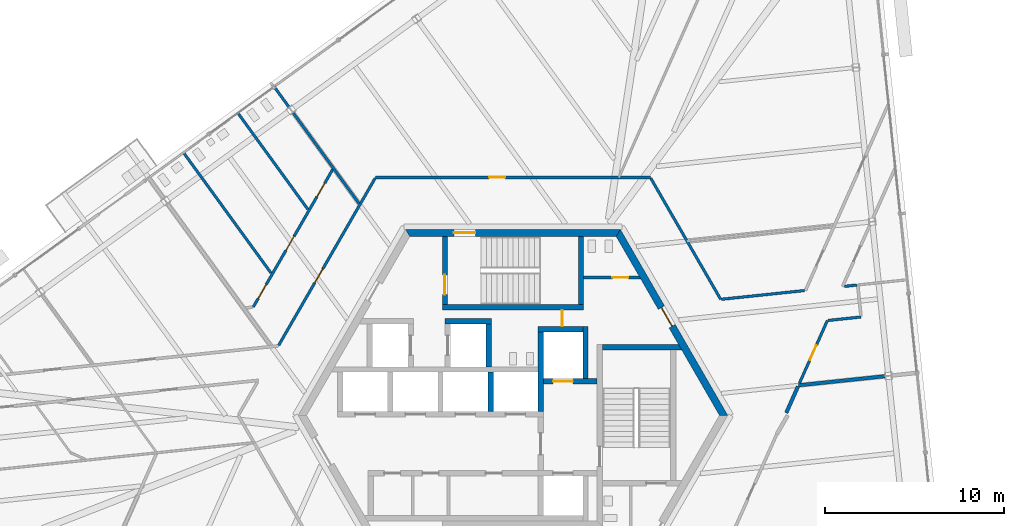
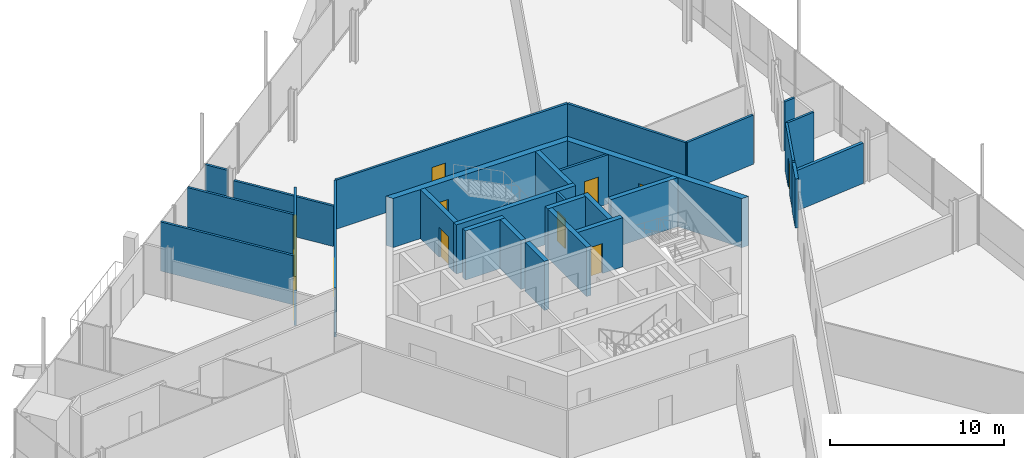
# One storey, part 13 of 21: 29 walls, 12 doors, 12 openings.
"""IFC4 building model written with IfcOpenShell, lengths in metres."""

from ifc_helpers import new_model, si_unit, direction, frame, frame_2d, origin, place, context, subcontext, project, spatial, polyline, rectangle, outline, extrude, source, transform, mapped, material, layer, layer_set, type_object, element, fill, save


model = new_model("IFC4")

# Units and contexts
model_context = context("Model", 3, precision=1e-05, world=origin(), true_north=direction((0.0, 1.0)))
body_context = subcontext(model_context, "Body", "Model", "MODEL_VIEW")
ifc_project = project(units=[si_unit("LENGTHUNIT", "METRE"), si_unit("AREAUNIT", "SQUARE_METRE"), si_unit("VOLUMEUNIT", "CUBIC_METRE"), si_unit("PLANEANGLEUNIT", "RADIAN"), si_unit("MASSUNIT", "GRAM", prefix="KILO")], contexts=[model_context])

# Site, building, storey
site_placement = place(None, origin())
site = spatial("IfcSite", under=ifc_project, at=site_placement, CompositionType="ELEMENT")
building_placement = place(site_placement, origin())
building = spatial("IfcBuilding", under=site, at=building_placement, Name="Triune Harvest Tower", CompositionType="ELEMENT")
storey_placement = place(building_placement, frame((0.0, 0.0, 87.300048828125)))
storey = spatial("IfcBuildingStorey", under=building, at=storey_placement, Name="L21", CompositionType="ELEMENT", Elevation=87.300048828125)

# Walls
ifc_material_1 = material(Name="Gypsum board on steel studs", Category="steel")
ifc_layer_1 = layer(ifc_material_1, 0.14990234375)
ifc_layer_set_1 = layer_set([ifc_layer_1], Name="Gypsum board on steel studs")
wall_type_1 = type_object("IfcWallType", Name="Fire Partition 150 mm", PredefinedType="PARTITIONING", material=ifc_layer_set_1)
wall_1_placement = place(storey_placement, frame((7.69921875, 13.2490234375, 0.0), z_axis=(0.0, 0.0, 1.0), x_axis=(0.500009052715, -0.866020177134, 0.0)))
element("IfcWall", 1, at=wall_1_placement, inside=storey, type_object=wall_type_1, Name="Partition L21 004", PredefinedType="PARTITIONING", context=body_context, shape_type="SweptSolid", body=[
    extrude(rectangle(XDim=7.816162109375, YDim=0.14990234375, at=frame_2d((3.908203125, 0.0))), origin(), (0.0, 0.0, 1.0), 3.43994140625),
])
wall_2_placement = place(storey_placement, frame((-18.40771484375, 14.68212890625, 0.0), z_axis=(0.0, 0.0, 1.0), x_axis=(0.587777217716, -0.809022831775, 0.0)))
element("IfcWall", 2, at=wall_2_placement, inside=storey, type_object=wall_type_1, Name="Partition L21 012", PredefinedType="PARTITIONING", context=body_context, shape_type="SweptSolid", body=[
    extrude(rectangle(XDim=8.318115234375, YDim=0.14990234375, at=frame_2d((4.1591796875, 0.0))), origin(), (0.0, 0.0, 1.0), 3.43994140625),
])
wall_3_placement = place(storey_placement, frame((-15.367919921875, 16.890625, 0.0), z_axis=(0.0, 0.0, 1.0), x_axis=(0.587780611238, -0.809020366278, 0.0)))
element("IfcWall", 3, at=wall_3_placement, inside=storey, type_object=wall_type_1, Name="Partition L21 013", PredefinedType="PARTITIONING", context=body_context, shape_type="SweptSolid", body=[
    extrude(rectangle(XDim=6.645263671875, YDim=0.14990234375, at=frame_2d((3.32275390625, 0.0))), origin(), (0.0, 0.0, 1.0), 3.43994140625),
])
wall_4_placement = place(storey_placement, frame((-12.2880859375, 16.9130859375, 0.0), z_axis=(0.0, 0.0, 1.0), x_axis=(0.587798616863, -0.809007284277, 0.0)))
element("IfcWall", 4, at=wall_4_placement, inside=storey, type_object=wall_type_1, Name="Partition L21 015", PredefinedType="PARTITIONING", context=body_context, shape_type="SweptSolid", body=[
    extrude(rectangle(XDim=6.265625, YDim=0.14990234375, at=frame_2d((3.1328125, 0.0))), origin(), (0.0, 0.0, 1.0), 2.82763671875),
])
wall_5_placement = place(storey_placement, frame((17.615966796875, 5.301513671875, 0.0), z_axis=(0.0, 0.0, 1.0), x_axis=(0.994514155741, 0.104602074695, 0.0)))
element("IfcWall", 5, at=wall_5_placement, inside=storey, type_object=wall_type_1, Name="Partition L21 028", PredefinedType="PARTITIONING", context=body_context, shape_type="SweptSolid", body=[
    extrude(rectangle(XDim=1.84375, YDim=0.14990234375, at=frame_2d((0.921875, 0.0))), origin(), (0.0, 0.0, 1.0), 3.43994140625),
])
wall_6_placement = place(storey_placement, frame((11.6572265625, 6.48486328125, 0.0), z_axis=(0.0, 0.0, 1.0), x_axis=(0.994519500687, 0.104551244624, 0.0)))
element("IfcWall", 6, at=wall_6_placement, inside=storey, type_object=wall_type_1, Name="Partition L21 032", PredefinedType="PARTITIONING", context=body_context, shape_type="SweptSolid", body=[
    extrude(rectangle(XDim=4.663330078125, YDim=0.14990234375, at=frame_2d((2.33154296875, 0.0))), origin(), (0.0, 0.0, 1.0), 3.43994140625),
])
wall_7_placement = place(storey_placement, frame((18.52099609375, 7.206298828125, 0.0), z_axis=(0.0, 0.0, 1.0), x_axis=(0.994538139954, 0.104373790659, 0.0)))
element("IfcWall", 7, at=wall_7_placement, inside=storey, type_object=wall_type_1, Name="Partition L21 033", PredefinedType="PARTITIONING", context=body_context, shape_type="SweptSolid", body=[
    extrude(rectangle(XDim=0.69482421875, YDim=0.14990234375, at=frame_2d((0.347412109375, 0.0))), origin(), (0.0, 0.0, 1.0), 3.43994140625),
])

# Wall, opening, door
wall_8_placement = place(storey_placement, frame((-13.087158203125, 3.916748046875, 0.0), z_axis=(0.0, 0.0, 1.0), x_axis=(0.499996363024, 0.866027503583, 0.0)))
wall_8 = element("IfcWall", 8, at=wall_8_placement, inside=storey, type_object=wall_type_1, Name="Partition L21 040", PredefinedType="PARTITIONING", context=body_context, shape_type="SweptSolid", body=[
    extrude(rectangle(XDim=10.77587890625, YDim=0.14990234375, at=frame_2d((5.387939453125, 0.0))), origin(), (0.0, 0.0, 1.0), 3.43994140625),
])
opening_1_placement = place(wall_8_placement, frame((4.01953125, 0.0, 0.0)))
opening_1 = element("IfcOpeningElement", 9, at=opening_1_placement, cuts=wall_8, Name="Opening L21-008", PredefinedType="OPENING", context=body_context, shape_type="SweptSolid", body=[
    extrude(rectangle(XDim=0.89990234375, YDim=2.10009765625, at=frame_2d((0.449951171875, 1.050048828125))), frame((0.0, 0.0849609375, 0.0), z_axis=(0.0, -1.0, 0.0), x_axis=(1.0, 0.0, 0.0)), (0.0, 0.0, 1.0), 0.169921875),
])
ifc_material_2 = material(Name="Timber and steel door set", Category="steel")
door_type_1 = type_object("IfcDoorType", Name="Single leaf door FD30 left hand 900 x 2100", OperationType="SINGLE_SWING_LEFT", PredefinedType="DOOR", material=ifc_material_2)
door_1_placement = place(opening_1_placement, origin())
door_1 = element("IfcDoor", 10, at=door_1_placement, inside=storey, type_object=door_type_1, Name="Door L21-008 WC lobby 21.08", OperationType="SINGLE_SWING_LEFT", OverallHeight=2.10009765625, OverallWidth=0.89990234375, PredefinedType="DOOR", context=body_context, shape_type="SweptSolid", body=[
    extrude(rectangle(XDim=0.89990234375, YDim=2.10009765625, at=frame_2d((0.449951171875, 1.050048828125))), frame((0.0, 0.02490234375, 0.0), z_axis=(0.0, -1.0, 0.0), x_axis=(1.0, 0.0, 0.0)), (0.0, 0.0, 1.0), 0.050048828125),
])
fill(opening_1, door_1)

# Wall, openings, doors
wall_9_placement = place(storey_placement, frame((-14.512939453125, 6.047607421875, 0.0), z_axis=(0.0, 0.0, 1.0), x_axis=(0.500015672097, 0.866016355306, 0.0)))
wall_9 = element("IfcWall", 11, at=wall_9_placement, inside=storey, type_object=wall_type_1, Name="Partition L21 041", PredefinedType="PARTITIONING", context=body_context, shape_type="SweptSolid", body=[
    extrude(rectangle(XDim=8.961181640625, YDim=0.14990234375, at=frame_2d((4.48046875, 0.0))), origin(), (0.0, 0.0, 1.0), 3.43994140625),
])
opening_2_placement = place(wall_9_placement, frame((7.111328125, 0.0, 0.0)))
opening_2 = element("IfcOpeningElement", 12, at=opening_2_placement, cuts=wall_9, Name="Opening L21-009", PredefinedType="OPENING", context=body_context, shape_type="SweptSolid", body=[
    extrude(rectangle(XDim=0.89990234375, YDim=2.10009765625, at=frame_2d((0.449951171875, 1.050048828125))), frame((0.0, 0.0849609375, 0.0), z_axis=(0.0, -1.0, 0.0), x_axis=(1.0, 0.0, 0.0)), (0.0, 0.0, 1.0), 0.169921875),
])
opening_3_placement = place(wall_9_placement, frame((3.66943359375, 0.0, 0.0)))
opening_3 = element("IfcOpeningElement", 13, at=opening_3_placement, cuts=wall_9, Name="Opening L21-010", PredefinedType="OPENING", context=body_context, shape_type="SweptSolid", body=[
    extrude(rectangle(XDim=0.89990234375, YDim=2.10009765625, at=frame_2d((0.449951171875, 1.050048828125))), frame((0.0, 0.0849609375, 0.0), z_axis=(0.0, -1.0, 0.0), x_axis=(1.0, 0.0, 0.0)), (0.0, 0.0, 1.0), 0.169921875),
])
opening_4_placement = place(wall_9_placement, frame((0.556396484375, 0.0, 0.0)))
opening_4 = element("IfcOpeningElement", 14, at=opening_4_placement, cuts=wall_9, Name="Opening L21-011", PredefinedType="OPENING", context=body_context, shape_type="SweptSolid", body=[
    extrude(rectangle(XDim=0.89990234375, YDim=2.10009765625, at=frame_2d((0.449951171875, 1.050048828125))), frame((0.0, 0.0849609375, 0.0), z_axis=(0.0, -1.0, 0.0), x_axis=(1.0, 0.0, 0.0)), (0.0, 0.0, 1.0), 0.169921875),
])
door_2_placement = place(opening_3_placement, origin())
door_2 = element("IfcDoor", 15, at=door_2_placement, inside=storey, type_object=door_type_1, Name="Door L21-010 Men's WC 21.10", OperationType="SINGLE_SWING_LEFT", OverallHeight=2.10009765625, OverallWidth=0.89990234375, PredefinedType="DOOR", context=body_context, shape_type="SweptSolid", body=[
    extrude(rectangle(XDim=0.89990234375, YDim=2.10009765625, at=frame_2d((0.449951171875, 1.050048828125))), frame((0.0, 0.02490234375, 0.0), z_axis=(0.0, -1.0, 0.0), x_axis=(1.0, 0.0, 0.0)), (0.0, 0.0, 1.0), 0.050048828125),
])
fill(opening_3, door_2)
door_3_placement = place(opening_4_placement, origin())
door_3 = element("IfcDoor", 16, at=door_3_placement, inside=storey, type_object=door_type_1, Name="Door L21-011 Accessible WC 21.11", OperationType="SINGLE_SWING_LEFT", OverallHeight=2.10009765625, OverallWidth=0.89990234375, PredefinedType="DOOR", context=body_context, shape_type="SweptSolid", body=[
    extrude(rectangle(XDim=0.89990234375, YDim=2.10009765625, at=frame_2d((0.449951171875, 1.050048828125))), frame((0.0, 0.02490234375, 0.0), z_axis=(0.0, -1.0, 0.0), x_axis=(1.0, 0.0, 0.0)), (0.0, 0.0, 1.0), 0.050048828125),
])
fill(opening_4, door_3)
ifc_material_3 = material(Name="Timber and steel door set", Category="steel")
door_type_2 = type_object("IfcDoorType", Name="Single leaf door FD30 right hand 900 x 2100", OperationType="SINGLE_SWING_RIGHT", PredefinedType="DOOR", material=ifc_material_3)
door_4_placement = place(opening_2_placement, origin())
door_4 = element("IfcDoor", 17, at=door_4_placement, inside=storey, type_object=door_type_2, Name="Door L21-009 Women's WC 21.09", OperationType="SINGLE_SWING_RIGHT", OverallHeight=2.10009765625, OverallWidth=0.89990234375, PredefinedType="DOOR", context=body_context, shape_type="SweptSolid", body=[
    extrude(rectangle(XDim=0.89990234375, YDim=2.10009765625, at=frame_2d((0.449951171875, 1.050048828125))), frame((0.0, 0.02490234375, 0.0), z_axis=(0.0, -1.0, 0.0), x_axis=(1.0, 0.0, 0.0)), (0.0, 0.0, 1.0), 0.050048828125),
])
fill(opening_2, door_4)

# Wall, opening, door
wall_10_placement = place(storey_placement, frame((16.009033203125, 1.798583984375, 0.0), z_axis=(0.0, 0.0, 1.0), x_axis=(0.406694528677, 0.913564207018, 0.0)))
wall_10 = element("IfcWall", 18, at=wall_10_placement, inside=storey, type_object=wall_type_1, Name="Partition L21 045", PredefinedType="PARTITIONING", context=body_context, shape_type="SweptSolid", body=[
    extrude(rectangle(XDim=3.828857421875, YDim=0.14990234375, at=frame_2d((1.91455078125, 0.0))), origin(), (0.0, 0.0, 1.0), 3.43994140625),
])
opening_5_placement = place(wall_10_placement, frame((1.416748046875, 0.0, 0.0)))
opening_5 = element("IfcOpeningElement", 19, at=opening_5_placement, cuts=wall_10, Name="Opening L21-004", PredefinedType="OPENING", context=body_context, shape_type="SweptSolid", body=[
    extrude(rectangle(XDim=0.89990234375, YDim=2.10009765625, at=frame_2d((0.449951171875, 1.050048828125))), frame((0.0, 0.0849609375, 0.0), z_axis=(0.0, -1.0, 0.0), x_axis=(1.0, 0.0, 0.0)), (0.0, 0.0, 1.0), 0.169921875),
])
door_5_placement = place(opening_5_placement, origin())
door_5 = element("IfcDoor", 20, at=door_5_placement, inside=storey, type_object=door_type_1, Name="Door L21-004 Office 21.04", OperationType="SINGLE_SWING_LEFT", OverallHeight=2.10009765625, OverallWidth=0.89990234375, PredefinedType="DOOR", context=body_context, shape_type="SweptSolid", body=[
    extrude(rectangle(XDim=0.89990234375, YDim=2.10009765625, at=frame_2d((0.449951171875, 1.050048828125))), frame((0.0, 0.02490234375, 0.0), z_axis=(0.0, -1.0, 0.0), x_axis=(1.0, 0.0, 0.0)), (0.0, 0.0, 1.0), 0.050048828125),
])
fill(opening_5, door_5)

# Walls
ifc_material_4 = material(Name="Gypsum board on steel studs", Category="steel")
ifc_layer_2 = layer(ifc_material_4, 0.199951171875)
ifc_layer_set_2 = layer_set([ifc_layer_2], Name="Gypsum board on steel studs")
wall_type_2 = type_object("IfcWallType", Name="Fire Wall 200 mm", PredefinedType="PARTITIONING", material=ifc_layer_set_2)
wall_11_placement = place(storey_placement, frame((15.954833984375, 1.677001953125, 0.0), z_axis=(0.0, 0.0, 1.0), x_axis=(0.994522495007, 0.104522757931, 0.0)))
element("IfcWall", 21, at=wall_11_placement, inside=storey, type_object=wall_type_2, Name="Partition L21 025", PredefinedType="PARTITIONING", context=body_context, shape_type="SweptSolid", body=[
    extrude(rectangle(XDim=4.863037109375, YDim=0.199951171875, at=frame_2d((2.431640625, 0.0))), origin(), (0.0, 0.0, 1.0), 2.82763671875),
])
wall_12_placement = place(storey_placement, frame((15.269287109375, 0.136962890625, 0.0), z_axis=(0.0, 0.0, 1.0), x_axis=(0.406586185741, 0.913612430719, 0.0)))
element("IfcWall", 22, at=wall_12_placement, inside=storey, type_object=wall_type_2, Name="Partition L21 044", PredefinedType="PARTITIONING", context=body_context, shape_type="SweptSolid", body=[
    extrude(rectangle(XDim=1.618896484375, YDim=0.199951171875, at=frame_2d((0.8095703125, 0.0))), origin(), (0.0, 0.0, 1.0), 3.43994140625),
])

# Wall, opening, door
ifc_material_5 = material(Name="Concrete 70 MPa", Category="concrete")
ifc_layer_3 = layer(ifc_material_5, 0.39990234375)
ifc_layer_set_3 = layer_set([ifc_layer_3], Name="Concrete 70 MPa")
wall_type_3 = type_object("IfcWallType", Name="Core wall 400", PredefinedType="SHEAR", material=ifc_layer_set_3)
shared_shape_1 = source(origin(), body_context, "Body", "SweptSolid", [
    extrude(outline(polyline([(-0.115478515625, -0.199951171875), (11.884521484375, -0.199951171875), (11.653564453125, 0.199951171875), (0.115478515625, 0.199951171875), (-0.115478515625, -0.199951171875)])), origin(), (0.0, 0.0, 1.0), 3.43994140625),
])
wall_13_placement = place(storey_placement, frame((11.76904296875, 0.0, 0.0), z_axis=(0.0, 0.0, 1.0), x_axis=(-0.499996592174, 0.866027371285, 0.0)))
wall_13 = element("IfcWall", 23, at=wall_13_placement, inside=storey, type_object=wall_type_3, Name="Hexagon 0 wall", PredefinedType="SHEAR", context=body_context, shape_type="MappedRepresentation", body=[
    mapped(shared_shape_1, transform((0.0, 0.0, 0.0), scale=1.0)),
])
opening_6_placement = place(wall_13_placement, frame((5.75048828125, 0.0, 0.0)))
opening_6 = element("IfcOpeningElement", 24, at=opening_6_placement, cuts=wall_13, Name="Opening CD-WCP", PredefinedType="OPENING", context=body_context, shape_type="SweptSolid", body=[
    extrude(rectangle(XDim=1.199951171875, YDim=2.10009765625, at=frame_2d((0.60009765625, 1.050048828125))), frame((0.0, 0.2099609375, 0.0), z_axis=(0.0, -1.0, 0.0), x_axis=(1.0, 0.0, 0.0)), (0.0, 0.0, 1.0), 0.419921875),
])
ifc_material_6 = material(Name="Steel S235", Category="steel")
door_type_3 = type_object("IfcDoorType", Name="Lobby door 1200 FD120", OperationType="SINGLE_SWING_LEFT", PredefinedType="DOOR", material=ifc_material_6)
door_6_placement = place(opening_6_placement, frame((1.199951171875, 0.0, 0.0), z_axis=(0.0, 0.0, 1.0), x_axis=(-1.0, 0.0, 0.0)))
door_6 = element("IfcDoor", 25, at=door_6_placement, inside=storey, type_object=door_type_3, Name="Door CD-WCP", OperationType="SINGLE_SWING_RIGHT", OverallHeight=2.10009765625, OverallWidth=1.199951171875, PredefinedType="DOOR", context=body_context, shape_type="SweptSolid", body=[
    extrude(rectangle(XDim=1.199951171875, YDim=2.10009765625, at=frame_2d((0.60009765625, 1.050048828125))), frame((0.0, 0.02490234375, 0.0), z_axis=(0.0, -1.0, 0.0), x_axis=(1.0, 0.0, 0.0)), (0.0, 0.0, 1.0), 0.050048828125),
])
fill(opening_6, door_6)

wall_14_placement = place(storey_placement, frame((5.884521484375, 10.1923828125, 0.0), z_axis=(0.0, 0.0, 1.0), x_axis=(-1.0, 0.0, 0.0)))
wall_14 = element("IfcWall", 26, at=wall_14_placement, inside=storey, type_object=wall_type_3, Name="Hexagon 1 wall", PredefinedType="SHEAR", context=body_context, shape_type="MappedRepresentation", body=[
    mapped(shared_shape_1, transform((0.0, 0.0, 0.0), scale=1.0)),
])
opening_7_placement = place(wall_14_placement, frame((7.984619140625, 0.0, 0.0)))
opening_7 = element("IfcOpeningElement", 27, at=opening_7_placement, cuts=wall_14, Name="Opening CD-S1P", PredefinedType="OPENING", context=body_context, shape_type="SweptSolid", body=[
    extrude(rectangle(XDim=1.199951171875, YDim=2.10009765625, at=frame_2d((0.60009765625, 1.050048828125))), frame((0.0, 0.2099609375, 0.0), z_axis=(0.0, -1.0, 0.0), x_axis=(1.0, 0.0, 0.0)), (0.0, 0.0, 1.0), 0.419921875),
])
ifc_material_7 = material(Name="Steel S235", Category="steel")
door_type_4 = type_object("IfcDoorType", Name="Stair door 1200 FD120", OperationType="SINGLE_SWING_LEFT", PredefinedType="DOOR", material=ifc_material_7)
door_7_placement = place(opening_7_placement, frame((1.199951171875, 0.0, 0.0), z_axis=(0.0, 0.0, 1.0), x_axis=(-1.0, 0.0, 0.0)))
door_7 = element("IfcDoor", 28, at=door_7_placement, inside=storey, type_object=door_type_4, Name="Door CD-S1P", OperationType="SINGLE_SWING_RIGHT", OverallHeight=2.10009765625, OverallWidth=1.199951171875, PredefinedType="DOOR", context=body_context, shape_type="SweptSolid", body=[
    extrude(rectangle(XDim=1.199951171875, YDim=2.10009765625, at=frame_2d((0.60009765625, 1.050048828125))), frame((0.0, 0.02490234375, 0.0), z_axis=(0.0, -1.0, 0.0), x_axis=(1.0, 0.0, 0.0)), (0.0, 0.0, 1.0), 0.050048828125),
])
fill(opening_7, door_7)

# Walls
ifc_material_8 = material(Name="Concrete 70 MPa", Category="concrete")
ifc_layer_4 = layer(ifc_material_8, 0.300048828125)
ifc_layer_set_4 = layer_set([ifc_layer_4], Name="Concrete 70 MPa")
wall_type_4 = type_object("IfcWallType", Name="Core wall 300", PredefinedType="SHEAR", material=ifc_layer_set_4)
shared_shape_2 = source(origin(), body_context, "Body", "SweptSolid", [
    extrude(rectangle(XDim=2.5, YDim=0.300048828125, at=frame_2d((1.25, 0.0))), origin(), (0.0, 0.0, 1.0), 3.43994140625),
])
wall_15_placement = place(storey_placement, frame((1.39990234375, 4.81005859375, 0.0), z_axis=(0.0, 0.0, 1.0), x_axis=(1.0, 0.0, 0.0)))
element("IfcWall", 29, at=wall_15_placement, inside=storey, type_object=wall_type_4, Name="Ff1 back wall", PredefinedType="SHEAR", context=body_context, shape_type="MappedRepresentation", body=[
    mapped(shared_shape_2, transform((0.0, 0.0, 0.0), scale=1.0)),
])
shared_shape_3 = source(origin(), body_context, "Body", "SweptSolid", [
    extrude(rectangle(XDim=4.449951171875, YDim=0.300048828125, at=frame_2d((2.22509765625, 0.0))), origin(), (0.0, 0.0, 1.0), 3.43994140625),
])
wall_16_placement = place(storey_placement, frame((1.550048828125, 0.2099609375, 0.0), z_axis=(0.0, 0.0, 1.0), x_axis=(0.0, 1.0, 0.0)))
element("IfcWall", 30, at=wall_16_placement, inside=storey, type_object=wall_type_4, Name="Ff1 west wall", PredefinedType="SHEAR", context=body_context, shape_type="MappedRepresentation", body=[
    mapped(shared_shape_3, transform((0.0, 0.0, 0.0), scale=1.0)),
])

# Wall, opening, door
shared_shape_4 = source(origin(), body_context, "Body", "SweptSolid", [
    extrude(rectangle(XDim=3.0, YDim=0.300048828125, at=frame_2d((1.5, 0.0))), origin(), (0.0, 0.0, 1.0), 3.43994140625),
])
wall_17_placement = place(storey_placement, frame((1.699951171875, 1.909912109375, 0.0), z_axis=(0.0, 0.0, 1.0), x_axis=(1.0, 0.0, 0.0)))
wall_17 = element("IfcWall", 31, at=wall_17_placement, inside=storey, type_object=wall_type_4, Name="Ff1 front wall", PredefinedType="SHEAR", context=body_context, shape_type="MappedRepresentation", body=[
    mapped(shared_shape_4, transform((0.0, 0.0, 0.0), scale=1.0)),
])
opening_8_placement = place(wall_17_placement, frame((0.550048828125, 0.0, 0.0)))
opening_8 = element("IfcOpeningElement", 32, at=opening_8_placement, cuts=wall_17, Name="Opening LD-FF1-21", PredefinedType="OPENING", context=body_context, shape_type="SweptSolid", body=[
    extrude(rectangle(XDim=1.10009765625, YDim=2.10009765625, at=frame_2d((0.550048828125, 1.050048828125))), frame((0.0, 0.16015625, 0.0), z_axis=(0.0, -1.0, 0.0), x_axis=(1.0, 0.0, 0.0)), (0.0, 0.0, 1.0), 0.320068359375),
])
ifc_material_9 = material(Name="Stainless steel AISI 304", Category="steel")
door_type_5 = type_object("IfcDoorType", Name="Landing door 1100 x 2100", OperationType="DOUBLE_DOOR_SLIDING", PredefinedType="DOOR", material=ifc_material_9)
door_8_placement = place(opening_8_placement, origin())
door_8 = element("IfcDoor", 33, at=door_8_placement, inside=storey, type_object=door_type_5, Name="Door LD-FF1-21", OperationType="DOUBLE_DOOR_SLIDING", OverallHeight=2.10009765625, OverallWidth=1.10009765625, PredefinedType="DOOR", context=body_context, shape_type="SweptSolid", body=[
    extrude(rectangle(XDim=1.10009765625, YDim=2.10009765625, at=frame_2d((0.550048828125, 1.050048828125))), frame((0.0, 0.02490234375, 0.0), z_axis=(0.0, -1.0, 0.0), x_axis=(1.0, 0.0, 0.0)), (0.0, 0.0, 1.0), 0.050048828125),
])
fill(opening_8, door_8)

# Walls
shared_shape_5 = source(origin(), body_context, "Body", "SweptSolid", [
    extrude(rectangle(XDim=2.89990234375, YDim=0.300048828125, at=frame_2d((1.449951171875, 0.0))), origin(), (0.0, 0.0, 1.0), 3.43994140625),
])
wall_18_placement = place(storey_placement, frame((4.050048828125, 2.06005859375, 0.0), z_axis=(0.0, 0.0, 1.0), x_axis=(0.0, 1.0, 0.0)))
element("IfcWall", 34, at=wall_18_placement, inside=storey, type_object=wall_type_4, Name="Ff1 east wall", PredefinedType="SHEAR", context=body_context, shape_type="MappedRepresentation", body=[
    mapped(shared_shape_5, transform((0.0, 0.0, 0.0), scale=1.0)),
])
shared_shape_6 = source(origin(), body_context, "Body", "SweptSolid", [
    extrude(rectangle(XDim=2.199951171875, YDim=0.300048828125, at=frame_2d((1.10009765625, 0.0))), origin(), (0.0, 0.0, 1.0), 3.43994140625),
])
wall_19_placement = place(storey_placement, frame((-1.25, 0.2099609375, 0.0), z_axis=(0.0, 0.0, 1.0), x_axis=(0.0, 1.0, 0.0)))
element("IfcWall", 35, at=wall_19_placement, inside=storey, type_object=wall_type_4, Name="North cross 3 wall", PredefinedType="SHEAR", context=body_context, shape_type="MappedRepresentation", body=[
    mapped(shared_shape_6, transform((0.0, 0.0, 0.0), scale=1.0)),
])
shared_shape_7 = source(origin(), body_context, "Body", "SweptSolid", [
    extrude(outline(polyline([(0.0, -0.14990234375), (0.0, 0.14990234375), (4.260009765625, 0.14990234375), (4.43310546875, -0.14990234375), (0.0, -0.14990234375)])), origin(), (0.0, 0.0, 1.0), 3.43994140625),
])
wall_20_placement = place(storey_placement, frame((5.0, 3.800048828125, 0.0), z_axis=(0.0, 0.0, 1.0), x_axis=(1.0, 0.0, 0.0)))
element("IfcWall", 36, at=wall_20_placement, inside=storey, type_object=wall_type_4, Name="Stair e north wall", PredefinedType="SHEAR", context=body_context, shape_type="MappedRepresentation", body=[
    mapped(shared_shape_7, transform((0.0, 0.0, 0.0), scale=1.0)),
])
shared_shape_8 = source(origin(), body_context, "Body", "SweptSolid", [
    extrude(rectangle(XDim=7.89990234375, YDim=0.300048828125, at=frame_2d((3.949951171875, 0.0))), origin(), (0.0, 0.0, 1.0), 3.43994140625),
])
wall_21_placement = place(storey_placement, frame((-3.949951171875, 6.0400390625, 0.0), z_axis=(0.0, 0.0, 1.0), x_axis=(1.0, 0.0, 0.0)))
element("IfcWall", 37, at=wall_21_placement, inside=storey, type_object=wall_type_4, Name="Stair n south wall", PredefinedType="SHEAR", context=body_context, shape_type="MappedRepresentation", body=[
    mapped(shared_shape_8, transform((0.0, 0.0, 0.0), scale=1.0)),
])

# Wall, opening, door
shared_shape_9 = source(origin(), body_context, "Body", "SweptSolid", [
    extrude(outline(polyline([(0.0, -0.14990234375), (0.0, 0.14990234375), (3.80419921875, 0.14990234375), (3.80419921875, -0.14990234375), (0.0, -0.14990234375)])), origin(), (0.0, 0.0, 1.0), 3.43994140625),
])
wall_22_placement = place(storey_placement, frame((-3.800048828125, 6.18994140625, 0.0), z_axis=(0.0, 0.0, 1.0), x_axis=(0.0, 1.0, 0.0)))
wall_22 = element("IfcWall", 38, at=wall_22_placement, inside=storey, type_object=wall_type_4, Name="Stair n west wall", PredefinedType="SHEAR", context=body_context, shape_type="MappedRepresentation", body=[
    mapped(shared_shape_9, transform((0.0, 0.0, 0.0), scale=1.0)),
])
opening_9_placement = place(wall_22_placement, frame((0.56005859375, 0.0, 0.0)))
opening_9 = element("IfcOpeningElement", 39, at=opening_9_placement, cuts=wall_22, Name="Opening CD-S1L", PredefinedType="OPENING", context=body_context, shape_type="SweptSolid", body=[
    extrude(rectangle(XDim=1.10009765625, YDim=2.10009765625, at=frame_2d((0.550048828125, 1.050048828125))), frame((0.0, 0.16015625, 0.0), z_axis=(0.0, -1.0, 0.0), x_axis=(1.0, 0.0, 0.0)), (0.0, 0.0, 1.0), 0.320068359375),
])
ifc_material_10 = material(Name="Steel S235", Category="steel")
door_type_6 = type_object("IfcDoorType", Name="Stair door 1100 FD120", OperationType="SINGLE_SWING_LEFT", PredefinedType="DOOR", material=ifc_material_10)
door_9_placement = place(opening_9_placement, frame((1.10009765625, 0.0, 0.0), z_axis=(0.0, 0.0, 1.0), x_axis=(-1.0, 0.0, 0.0)))
door_9 = element("IfcDoor", 40, at=door_9_placement, inside=storey, type_object=door_type_6, Name="Door CD-S1L", OperationType="SINGLE_SWING_RIGHT", OverallHeight=2.10009765625, OverallWidth=1.10009765625, PredefinedType="DOOR", context=body_context, shape_type="SweptSolid", body=[
    extrude(rectangle(XDim=1.10009765625, YDim=2.10009765625, at=frame_2d((0.550048828125, 1.050048828125))), frame((0.0, 0.02490234375, 0.0), z_axis=(0.0, -1.0, 0.0), x_axis=(1.0, 0.0, 0.0)), (0.0, 0.0, 1.0), 0.050048828125),
])
fill(opening_9, door_9)

# Walls
wall_23_placement = place(storey_placement, frame((3.800048828125, 6.18994140625, 0.0), z_axis=(0.0, 0.0, 1.0), x_axis=(0.0, 1.0, 0.0)))
element("IfcWall", 41, at=wall_23_placement, inside=storey, type_object=wall_type_4, Name="Stair n east wall", PredefinedType="SHEAR", context=body_context, shape_type="MappedRepresentation", body=[
    mapped(shared_shape_9, transform((0.0, 0.0, 0.0), scale=1.0)),
])
shared_shape_10 = source(origin(), body_context, "Body", "SweptSolid", [
    extrude(rectangle(XDim=2.400146484375, YDim=0.300048828125, at=frame_2d((1.2001953125, 0.0))), origin(), (0.0, 0.0, 1.0), 3.43994140625),
])
wall_24_placement = place(storey_placement, frame((-1.35009765625, 2.7099609375, 0.0), z_axis=(0.0, 0.0, 1.0), x_axis=(0.0, 1.0, 0.0)))
element("IfcWall", 42, at=wall_24_placement, inside=storey, type_object=wall_type_4, Name="Sv2 east wall", PredefinedType="SHEAR", context=body_context, shape_type="MappedRepresentation", body=[
    mapped(shared_shape_10, transform((0.0, 0.0, 0.0), scale=1.0)),
])
shared_shape_11 = source(origin(), body_context, "Body", "SweptSolid", [
    extrude(rectangle(XDim=2.60009765625, YDim=0.300048828125, at=frame_2d((1.300048828125, 0.0))), origin(), (0.0, 0.0, 1.0), 3.43994140625),
])
wall_25_placement = place(storey_placement, frame((-3.800048828125, 5.260009765625, 0.0), z_axis=(0.0, 0.0, 1.0), x_axis=(1.0, 0.0, 0.0)))
element("IfcWall", 43, at=wall_25_placement, inside=storey, type_object=wall_type_4, Name="Sv2 north wall", PredefinedType="SHEAR", context=body_context, shape_type="MappedRepresentation", body=[
    mapped(shared_shape_11, transform((0.0, 0.0, 0.0), scale=1.0)),
])

# Wall, opening, door
ifc_material_11 = material(Name="Concrete masonry unit", Category="masonry")
ifc_layer_5 = layer(ifc_material_11, 0.14990234375)
ifc_layer_set_5 = layer_set([ifc_layer_5], Name="Concrete masonry unit")
wall_type_5 = type_object("IfcWallType", Name="Block partition 150 unrated", PredefinedType="PARTITIONING", material=ifc_layer_set_5)
shared_shape_12 = source(origin(), body_context, "Body", "SweptSolid", [
    extrude(outline(polyline([(0.0, -0.074951171875), (0.0, 0.074951171875), (3.1015625, 0.074951171875), (3.18798828125, -0.074951171875), (0.0, -0.074951171875)])), origin(), (0.0, 0.0, 1.0), 3.43994140625),
])
wall_26_placement = place(storey_placement, frame((3.949951171875, 7.699951171875, 0.0), z_axis=(0.0, 0.0, 1.0), x_axis=(1.0, 0.0, 0.0)))
wall_26 = element("IfcWall", 44, at=wall_26_placement, inside=storey, type_object=wall_type_5, Name="Wc women south wall", PredefinedType="PARTITIONING", context=body_context, shape_type="MappedRepresentation", body=[
    mapped(shared_shape_12, transform((0.0, 0.0, 0.0), scale=1.0)),
])
opening_10_placement = place(wall_26_placement, frame((1.60009765625, 0.0, 0.0)))
opening_10 = element("IfcOpeningElement", 45, at=opening_10_placement, cuts=wall_26, Name="Opening CD-WW", PredefinedType="OPENING", context=body_context, shape_type="SweptSolid", body=[
    extrude(rectangle(XDim=0.89990234375, YDim=2.10009765625, at=frame_2d((0.449951171875, 1.050048828125))), frame((0.0, 0.0849609375, 0.0), z_axis=(0.0, -1.0, 0.0), x_axis=(1.0, 0.0, 0.0)), (0.0, 0.0, 1.0), 0.169921875),
])
ifc_material_12 = material(Name="Timber C24", Category="wood")
door_type_7 = type_object("IfcDoorType", Name="WC door 900", OperationType="SINGLE_SWING_LEFT", PredefinedType="DOOR", material=ifc_material_12)
door_10_placement = place(opening_10_placement, origin())
door_10 = element("IfcDoor", 46, at=door_10_placement, inside=storey, type_object=door_type_7, Name="Door CD-WW", OperationType="SINGLE_SWING_LEFT", OverallHeight=2.10009765625, OverallWidth=0.89990234375, PredefinedType="DOOR", context=body_context, shape_type="SweptSolid", body=[
    extrude(rectangle(XDim=0.89990234375, YDim=2.10009765625, at=frame_2d((0.449951171875, 1.050048828125))), frame((0.0, 0.02490234375, 0.0), z_axis=(0.0, -1.0, 0.0), x_axis=(1.0, 0.0, 0.0)), (0.0, 0.0, 1.0), 0.050048828125),
])
fill(opening_10, door_10)

shared_shape_13 = source(origin(), body_context, "Body", "SweptSolid", [
    extrude(rectangle(XDim=0.929931640625, YDim=0.14990234375, at=frame_2d((0.46484375, 0.0))), origin(), (0.0, 0.0, 1.0), 3.43994140625),
])
wall_27_placement = place(storey_placement, frame((2.75, 4.9599609375, 0.0), z_axis=(0.0, 0.0, 1.0), x_axis=(0.0, 1.0, 0.0)))
wall_27 = element("IfcWall", 47, at=wall_27_placement, inside=storey, type_object=wall_type_5, Name="Wc men east b wall", PredefinedType="PARTITIONING", context=body_context, shape_type="MappedRepresentation", body=[
    mapped(shared_shape_13, transform((0.0, 0.0, 0.0), scale=1.0)),
])
opening_11_placement = place(wall_27_placement, frame((0.014892578125, 0.0, 0.0)))
opening_11 = element("IfcOpeningElement", 48, at=opening_11_placement, cuts=wall_27, Name="Opening CD-WM", PredefinedType="OPENING", context=body_context, shape_type="SweptSolid", body=[
    extrude(rectangle(XDim=0.89990234375, YDim=2.10009765625, at=frame_2d((0.449951171875, 1.050048828125))), frame((0.0, 0.0849609375, 0.0), z_axis=(0.0, -1.0, 0.0), x_axis=(1.0, 0.0, 0.0)), (0.0, 0.0, 1.0), 0.169921875),
])
door_11_placement = place(opening_11_placement, origin())
door_11 = element("IfcDoor", 49, at=door_11_placement, inside=storey, type_object=door_type_7, Name="Door CD-WM", OperationType="SINGLE_SWING_LEFT", OverallHeight=2.10009765625, OverallWidth=0.89990234375, PredefinedType="DOOR", context=body_context, shape_type="SweptSolid", body=[
    extrude(rectangle(XDim=0.89990234375, YDim=2.10009765625, at=frame_2d((0.449951171875, 1.050048828125))), frame((0.0, 0.02490234375, 0.0), z_axis=(0.0, -1.0, 0.0), x_axis=(1.0, 0.0, 0.0)), (0.0, 0.0, 1.0), 0.050048828125),
])
fill(opening_11, door_11)

# Wall
shared_shape_14 = source(origin(), body_context, "Body", "SweptSolid", [
    extrude(rectangle(XDim=1.418212890625, YDim=0.14990234375, at=frame_2d((0.708984375, 0.0))), origin(), (0.0, 0.0, 1.0), 3.43994140625),
])
wall_28_placement = place(storey_placement, frame((-13.34130859375, 18.36279296875, 0.0), z_axis=(0.0, 0.0, 1.0), x_axis=(0.587700759977, -0.809078374895, 0.0)))
element("IfcWall", 50, at=wall_28_placement, inside=storey, type_object=wall_type_1, Name="Partition L21 014", PredefinedType="PARTITIONING", context=body_context, shape_type="MappedRepresentation", body=[
    mapped(shared_shape_14, transform((0.0, 0.0, 0.0), scale=1.0)),
])

# Wall, opening, door
shared_shape_15 = source(origin(), body_context, "Body", "SweptSolid", [
    extrude(rectangle(XDim=15.3486328125, YDim=0.14990234375, at=frame_2d((7.67431640625, 0.0))), origin(), (0.0, 0.0, 1.0), 3.43994140625),
])
wall_29_placement = place(storey_placement, frame((-7.67431640625, 13.292236328125, 0.0), z_axis=(0.0, 0.0, 1.0), x_axis=(1.0, 0.0, 0.0)))
wall_29 = element("IfcWall", 51, at=wall_29_placement, inside=storey, type_object=wall_type_1, Name="Partition L21 020", PredefinedType="PARTITIONING", context=body_context, shape_type="MappedRepresentation", body=[
    mapped(shared_shape_15, transform((0.0, 0.0, 0.0), scale=1.0)),
])
opening_12_placement = place(wall_29_placement, frame((6.34228515625, 0.0, 0.0)))
opening_12 = element("IfcOpeningElement", 52, at=opening_12_placement, cuts=wall_29, Name="Opening L21-007", PredefinedType="OPENING", context=body_context, shape_type="SweptSolid", body=[
    extrude(rectangle(XDim=0.89990234375, YDim=2.10009765625, at=frame_2d((0.449951171875, 1.050048828125))), frame((0.0, 0.0849609375, 0.0), z_axis=(0.0, -1.0, 0.0), x_axis=(1.0, 0.0, 0.0)), (0.0, 0.0, 1.0), 0.169921875),
])
door_12_placement = place(opening_12_placement, origin())
door_12 = element("IfcDoor", 53, at=door_12_placement, inside=storey, type_object=door_type_1, Name="Door L21-007 Food Laboratory 21.07", OperationType="SINGLE_SWING_LEFT", OverallHeight=2.10009765625, OverallWidth=0.89990234375, PredefinedType="DOOR", context=body_context, shape_type="SweptSolid", body=[
    extrude(rectangle(XDim=0.89990234375, YDim=2.10009765625, at=frame_2d((0.449951171875, 1.050048828125))), frame((0.0, 0.02490234375, 0.0), z_axis=(0.0, -1.0, 0.0), x_axis=(1.0, 0.0, 0.0)), (0.0, 0.0, 1.0), 0.050048828125),
])
fill(opening_12, door_12)

save(model, "model.ifc")
